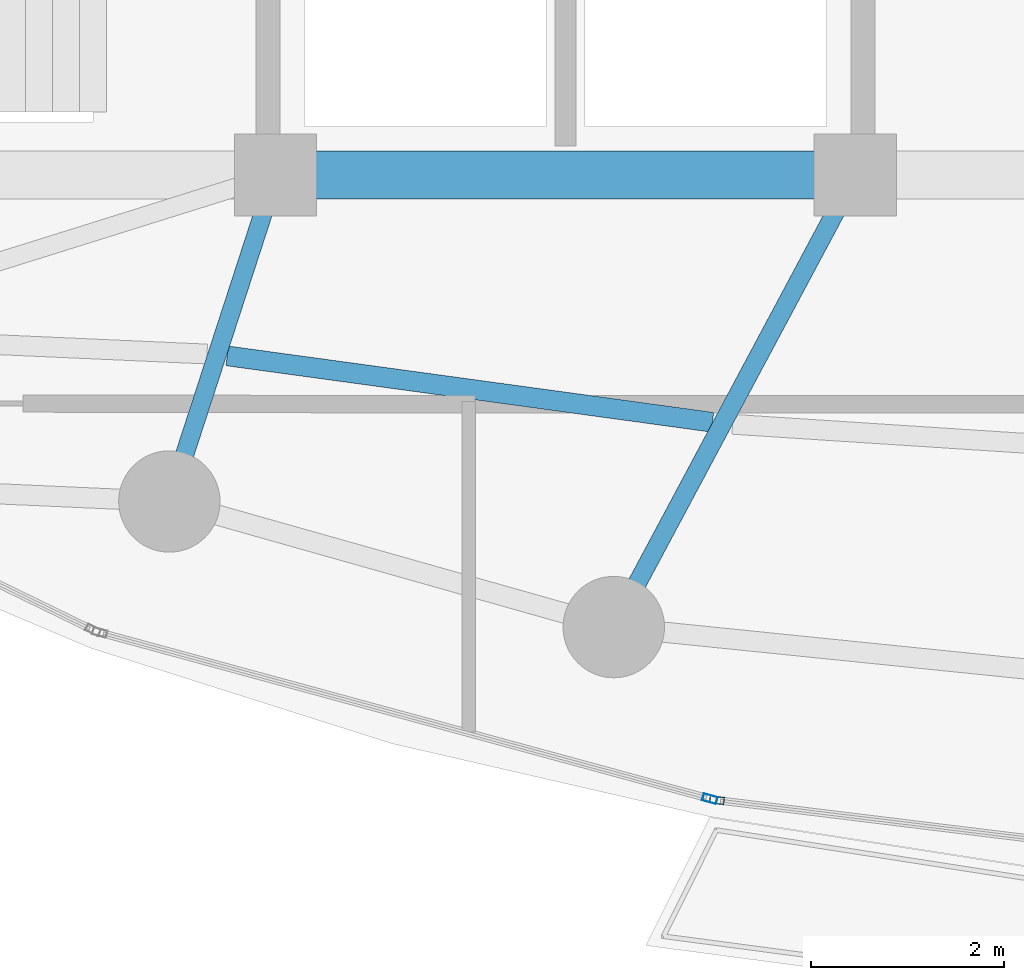
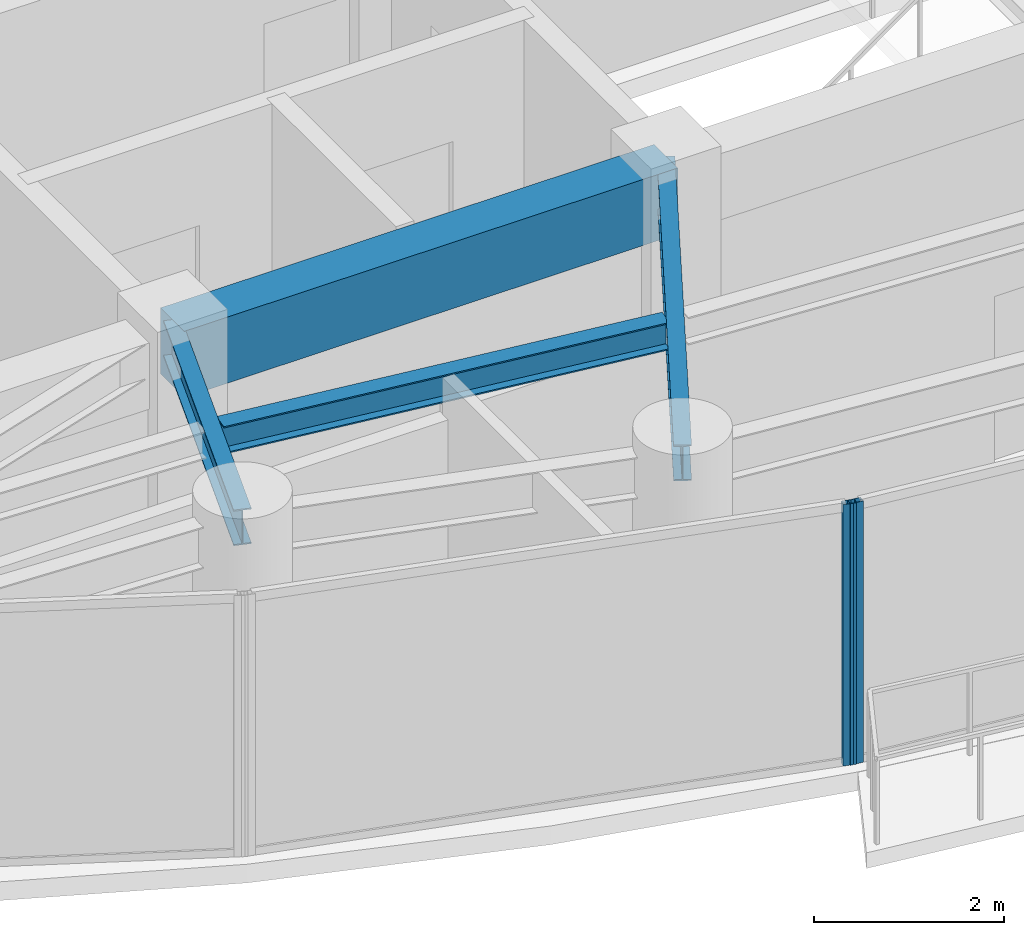
# One storey, part 5 of 31: 4 beams, 2 members, 2 elements without a shape of their own.
"""IFC4 building model written with IfcOpenShell, lengths in metres."""

from ifc_helpers import new_model, si_unit, direction, frame, origin, origin_2d, place, context, subcontext, project, spatial, rectangle, hollow_rectangle, i_section, extrude, material, layer, layer_set, material_profile, profile_set, type_object, element, aggregate, save


model = new_model("IFC4")

# Units and contexts
model_context = context("Model", 3, precision=1e-05, world=origin(), true_north=direction((0.0, 1.0)))
body_context = subcontext(model_context, "Body", "Model", "MODEL_VIEW")
ifc_project = project(units=[si_unit("LENGTHUNIT", "METRE"), si_unit("AREAUNIT", "SQUARE_METRE"), si_unit("VOLUMEUNIT", "CUBIC_METRE"), si_unit("PLANEANGLEUNIT", "RADIAN"), si_unit("MASSUNIT", "GRAM", prefix="KILO")], contexts=[model_context])

# Site, building, storey
site_placement = place(None, origin())
site = spatial("IfcSite", under=ifc_project, at=site_placement, CompositionType="ELEMENT")
building_placement = place(site_placement, origin())
building = spatial("IfcBuilding", under=site, at=building_placement, Name="Kazevale Care Tower and Concert Hall", CompositionType="ELEMENT")
storey_placement = place(building_placement, frame((0.0, 0.0, 202.800048828125)))
storey = spatial("IfcBuildingStorey", under=building, at=storey_placement, Name="L53", CompositionType="ELEMENT", Elevation=202.800048828125)

# Curtain wall, member
ifc_material_1 = material(Name="Aluminium 6063-T6 and Low-E Glass", Category="aluminium")
ifc_layer = layer(ifc_material_1, 0.179931640625)
ifc_layer_set = layer_set([ifc_layer], Name="Aluminium 6063-T6 and Low-E Glass")
curtain_wall_type = type_object("IfcCurtainWallType", Name="Sheltered Concave Balcony Curtain Wall CW-5", PredefinedType="NOTDEFINED", material=ifc_layer_set)
curtain_wall_1_placement = place(storey_placement, origin())
curtain_wall_1 = element("IfcCurtainWall", 1, at=curtain_wall_1_placement, inside=storey, type_object=curtain_wall_type, Name="cw:L53:f07", PredefinedType="NOTDEFINED")
ifc_material_2 = material(Name="Aluminium 6063-T6", Category="aluminium")
ifc_material_profile_1 = material_profile(ifc_material_2, hollow_rectangle(XDim=0.074951171875, YDim=0.14990234375, WallThickness=0.00390625, at=origin_2d()), Name="ALU75x150x4")
ifc_profile_set_1 = profile_set([ifc_material_profile_1], Name="Aluminium 6063-T6")
member_type = type_object("IfcMemberType", Name="CW-5 Mullion ALU75x150x4", PredefinedType="MULLION", material=ifc_profile_set_1)
member_1_placement = place(storey_placement, frame((34.568115234375, 17.12841796875, 0.0), z_axis=(0.0, 0.0, 1.0), x_axis=(-0.121650797964, -0.992572961225, 0.0)))
member_1 = element("IfcMember", 2, at=member_1_placement, type_object=member_type, Name="CW-5 mullion 2", PredefinedType="MULLION", context=body_context, shape_type="SweptSolid", body=[
    extrude(hollow_rectangle(XDim=0.074951171875, YDim=0.14990234375, WallThickness=0.00390625, at=origin_2d()), origin(), (0.0, 0.0, 1.0), 3.35986328125),
])
aggregate(curtain_wall_1, [member_1])

curtain_wall_2_placement = place(storey_placement, origin())
curtain_wall_2 = element("IfcCurtainWall", 3, at=curtain_wall_2_placement, inside=storey, type_object=curtain_wall_type, Name="cw:L53:f08", PredefinedType="NOTDEFINED")
member_2_placement = place(storey_placement, frame((34.494873046875, 17.142822265625, 0.0), z_axis=(0.0, 0.0, 1.0), x_axis=(-0.262848968947, -0.964836991167, 0.0)))
member_2 = element("IfcMember", 4, at=member_2_placement, type_object=member_type, Name="CW-5 mullion 1", PredefinedType="MULLION", context=body_context, shape_type="SweptSolid", body=[
    extrude(hollow_rectangle(XDim=0.074951171875, YDim=0.14990234375, WallThickness=0.00390625, at=origin_2d()), origin(), (0.0, 0.0, 1.0), 3.35986328125),
])
aggregate(curtain_wall_2, [member_2])

# Beams
ifc_material_3 = material(Name="Concrete C60", Category="concrete")
ifc_material_profile_2 = material_profile(ifc_material_3, rectangle(XDim=0.5, YDim=0.85009765625, at=origin_2d()), Name="RC-B500x850")
ifc_profile_set_2 = profile_set([ifc_material_profile_2], Name="Concrete C60")
beam_type_1 = type_object("IfcBeamType", Name="Core Coupling Beam RC500x850", PredefinedType="LINTEL", material=ifc_profile_set_2)
beam_1_placement = place(storey_placement, frame((30.0, 23.60009765625, 2.93505859375), z_axis=(1.0, 0.0, 0.0), x_axis=(0.0, 1.0, 0.0)))
element("IfcBeam", 5, at=beam_1_placement, inside=storey, type_object=beam_type_1, Name="beam:L53:coretie:2", PredefinedType="LINTEL", context=body_context, shape_type="SweptSolid", body=[
    extrude(rectangle(XDim=0.5, YDim=0.85009765625, at=origin_2d()), origin(), (0.0, 0.0, 1.0), 6.0),
])
ifc_material_4 = material(Name="Steel ASTM A572 Gr 50", Category="steel")
ifc_material_profile_3 = material_profile(ifc_material_4, i_section(OverallWidth=0.19091796875, OverallDepth=0.4599609375, WebThickness=0.010009765625, FlangeThickness=0.01611328125, at=origin_2d()), Name="W460x82")
ifc_profile_set_3 = profile_set([ifc_material_profile_3], Name="Steel ASTM A572 Gr 50")
beam_type_2 = type_object("IfcBeamType", Name="Radial Floor Beam W460x82", PredefinedType="BEAM", material=ifc_profile_set_3)
beam_2_placement = place(storey_placement, frame((30.0, 23.60009765625, 3.1298828125), z_axis=(-0.309482065101, -0.950905279921, 0.0), x_axis=(0.950905279921, -0.309482065101, 0.0)))
element("IfcBeam", 6, at=beam_2_placement, inside=storey, type_object=beam_type_2, Name="beam:L53:rad:11", PredefinedType="BEAM", context=body_context, shape_type="SweptSolid", body=[
    extrude(i_section(OverallWidth=0.19091796875, OverallDepth=0.4599609375, WebThickness=0.010009765625, FlangeThickness=0.01611328125, at=origin_2d()), origin(), (0.0, 0.0, 1.0), 3.5546875),
])
beam_3_placement = place(storey_placement, frame((36.0, 23.60009765625, 3.1298828125), z_axis=(-0.471161293943, -0.88204707079, 0.0), x_axis=(0.88204707079, -0.471161293943, 0.0)))
element("IfcBeam", 7, at=beam_3_placement, inside=storey, type_object=beam_type_2, Name="beam:L53:rad:12", PredefinedType="BEAM", context=body_context, shape_type="SweptSolid", body=[
    extrude(i_section(OverallWidth=0.19091796875, OverallDepth=0.4599609375, WebThickness=0.010009765625, FlangeThickness=0.01611328125, at=origin_2d()), origin(), (0.0, 0.0, 1.0), 5.30615234375),
])
ifc_material_profile_4 = material_profile(ifc_material_4, i_section(OverallWidth=0.205078125, OverallDepth=0.35400390625, WebThickness=0.009521484375, FlangeThickness=0.016845703125, at=origin_2d()), Name="W360x79")
ifc_profile_set_4 = profile_set([ifc_material_profile_4], Name="Steel ASTM A572 Gr 50")
beam_type_3 = type_object("IfcBeamType", Name="Secondary Floor Joist W360x79", PredefinedType="JOIST", material=ifc_profile_set_4)
beam_4_placement = place(storey_placement, frame((29.4990234375, 21.72705078125, 3.182861328125), z_axis=(0.990772043119, -0.13553877148, 0.0), x_axis=(0.13553877148, 0.990772043119, 0.0)))
element("IfcBeam", 8, at=beam_4_placement, inside=storey, type_object=beam_type_3, Name="beam:L53:joist:11", PredefinedType="JOIST", context=body_context, shape_type="SweptSolid", body=[
    extrude(i_section(OverallWidth=0.205078125, OverallDepth=0.35400390625, WebThickness=0.009521484375, FlangeThickness=0.016845703125, at=origin_2d()), origin(), (0.0, 0.0, 1.0), 5.06884765625),
])

save(model, "model.ifc")
